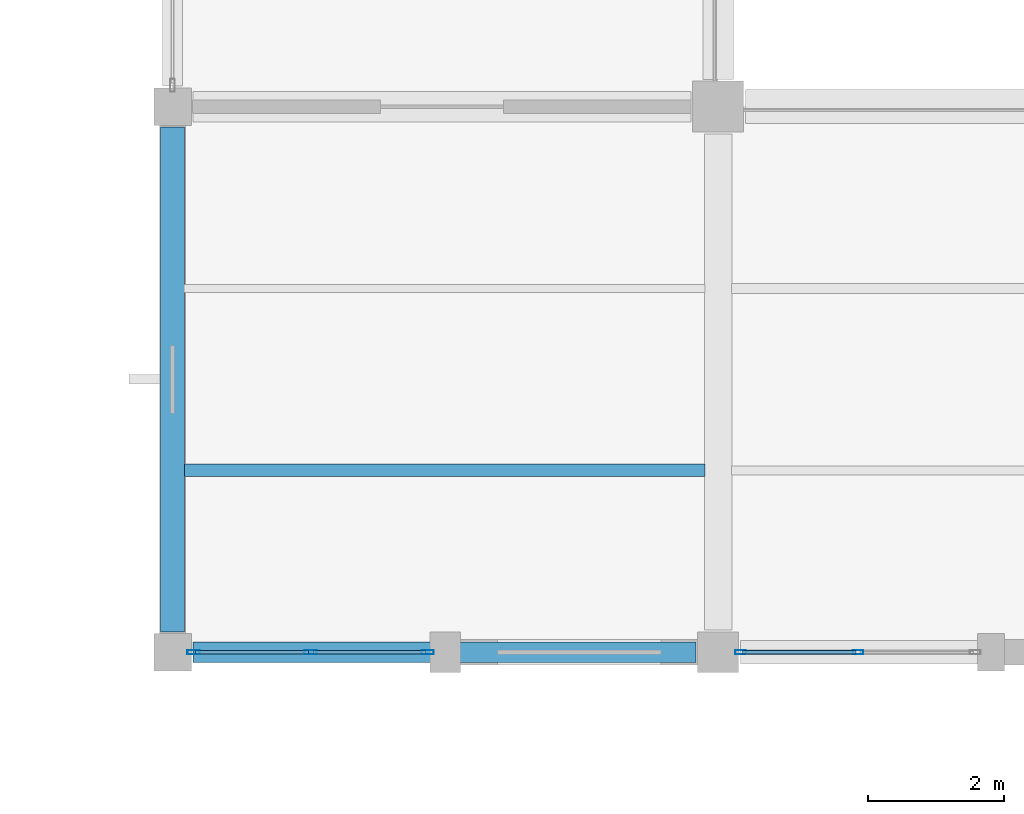
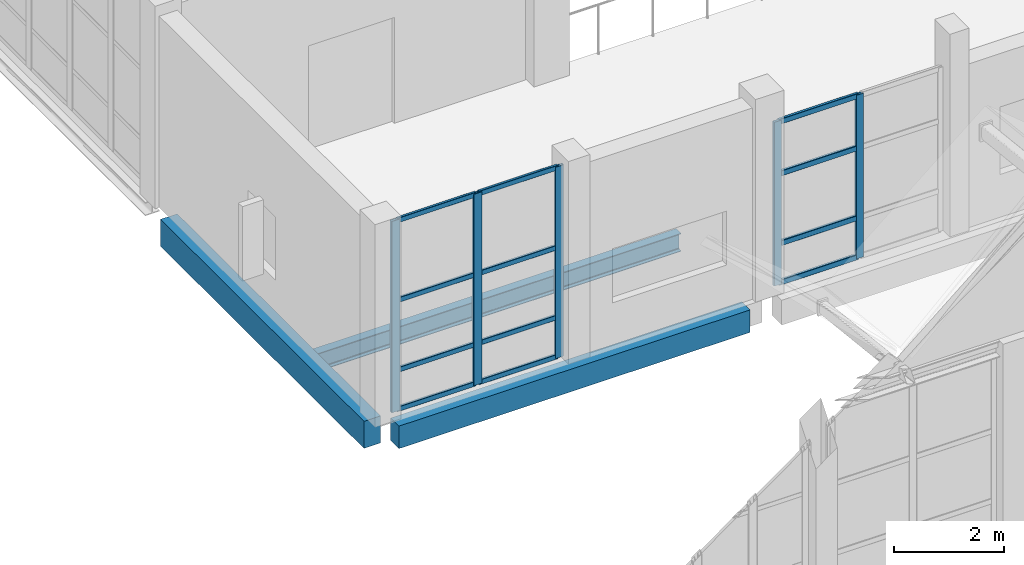
# One storey, part 92 of 183: 17 members, 3 beams, 2 elements without a shape of their own.
"""IFC4 building model written with IfcOpenShell, lengths in metres."""

from ifc_helpers import new_model, si_unit, direction, frame, origin, origin_2d, place, context, subcontext, project, spatial, rectangle, hollow_rectangle, i_section, extrude, material, material_profile, profile_set, type_object, element, aggregate, save


model = new_model("IFC4")

# Units and contexts
model_context = context("Model", 3, precision=1e-05, world=origin(), true_north=direction((0.0, 1.0)))
body_context = subcontext(model_context, "Body", "Model", "MODEL_VIEW")
ifc_project = project(units=[si_unit("LENGTHUNIT", "METRE"), si_unit("AREAUNIT", "SQUARE_METRE"), si_unit("VOLUMEUNIT", "CUBIC_METRE"), si_unit("PLANEANGLEUNIT", "RADIAN"), si_unit("MASSUNIT", "GRAM", prefix="KILO")], contexts=[model_context])

# Site, building, storey
site_placement = place(None, origin())
site = spatial("IfcSite", under=ifc_project, at=site_placement, CompositionType="ELEMENT")
building_placement = place(site_placement, origin())
building = spatial("IfcBuilding", under=site, at=building_placement, Name="Luwemba Playhouse", CompositionType="ELEMENT")
storey_placement = place(building_placement, frame((0.0, 0.0, 4.800048828125)))
storey = spatial("IfcBuildingStorey", under=building, at=storey_placement, Name="L01", CompositionType="ELEMENT", Elevation=4.800048828125)

# Beams
ifc_material_1 = material(Name="Steel S355", Category="steel")
ifc_material_profile_1 = material_profile(ifc_material_1, i_section(OverallWidth=0.179931640625, OverallDepth=0.39990234375, WebThickness=0.008544921875, FlangeThickness=0.013427734375, FilletRadius=0.02099609375, at=origin_2d()))
ifc_profile_set_1 = profile_set([ifc_material_profile_1], Name="Steel S355")
beam_type_1 = type_object("IfcBeamType", Name="BM-SJ08", PredefinedType="JOIST", material=ifc_profile_set_1)
beam_1_placement = place(storey_placement, frame((132.1708984375, 38.666748046875, -0.449951171875), z_axis=(1.0, 0.0, 0.0), x_axis=(0.0, 1.0, 0.0)))
element("IfcBeam", 1, at=beam_1_placement, inside=storey, type_object=beam_type_1, Name="L01 composite floor joist 0255", PredefinedType="JOIST", context=body_context, shape_type="SweptSolid", body=[
    extrude(i_section(OverallWidth=0.179931640625, OverallDepth=0.39990234375, WebThickness=0.008544921875, FlangeThickness=0.013427734375, FilletRadius=0.02099609375, at=origin_2d()), origin(), (0.0, 0.0, 1.0), 7.633056640625),
])
ifc_material_2 = material(Name="Concrete C40/50", Category="concrete")
ifc_material_profile_2 = material_profile(ifc_material_2, rectangle(XDim=0.300048828125, YDim=0.5, at=origin_2d()))
ifc_profile_set_2 = profile_set([ifc_material_profile_2], Name="Concrete C40/50")
beam_type_2 = type_object("IfcBeamType", Name="BM-SP1", PredefinedType="SPANDREL", material=ifc_profile_set_2)
beam_2_placement = place(storey_placement, frame((132.300048828125, 36.0, -0.5), z_axis=(1.0, 0.0, 0.0), x_axis=(0.0, 1.0, 0.0)))
element("IfcBeam", 2, at=beam_2_placement, inside=storey, type_object=beam_type_2, Name="L01 grid girder 0404", PredefinedType="SPANDREL", context=body_context, shape_type="SweptSolid", body=[
    extrude(rectangle(XDim=0.300048828125, YDim=0.5, at=origin_2d()), origin(), (0.0, 0.0, 1.0), 7.375),
])
ifc_material_profile_3 = material_profile(ifc_material_2, rectangle(XDim=0.35009765625, YDim=0.60009765625, at=origin_2d()))
ifc_profile_set_3 = profile_set([ifc_material_profile_3], Name="Concrete C40/50")
beam_type_3 = type_object("IfcBeamType", Name="BM-SP3", PredefinedType="SPANDREL", material=ifc_profile_set_3)
beam_3_placement = place(storey_placement, frame((132.0, 36.300048828125, -0.550048828125), z_axis=(0.0, 1.0, 0.0), x_axis=(-1.0, 0.0, 0.0)))
element("IfcBeam", 3, at=beam_3_placement, inside=storey, type_object=beam_type_3, Name="L01 transverse girder 0421", PredefinedType="SPANDREL", context=body_context, shape_type="SweptSolid", body=[
    extrude(rectangle(XDim=0.35009765625, YDim=0.60009765625, at=origin_2d()), origin(), (0.0, 0.0, 1.0), 7.39990234375),
])

# Curtain wall, members
ifc_material_3 = material(Name="Solar-control double glazing", Category="glass")
curtain_wall_type_1 = type_object("IfcCurtainWallType", Name="CW-CW77", PredefinedType="USERDEFINED", material=ifc_material_3)
curtain_wall_1_placement = place(storey_placement, origin())
curtain_wall_1 = element("IfcCurtainWall", 4, at=curtain_wall_1_placement, inside=storey, type_object=curtain_wall_type_1, Name="L01 V3 unitised curtain wall 110", ObjectType="UNITISED GLAZING", PredefinedType="USERDEFINED")
ifc_material_4 = material(Name="Aluminium 6063-T6", Category="aluminium")
ifc_material_profile_4 = material_profile(ifc_material_4, hollow_rectangle(XDim=0.06005859375, YDim=0.159912109375, WallThickness=0.00390625, InnerFilletRadius=0.006103515625, OuterFilletRadius=0.010009765625, at=origin_2d()))
ifc_profile_set_4 = profile_set([ifc_material_profile_4], Name="Aluminium 6063-T6")
member_type_1 = type_object("IfcMemberType", Name="CWM-M1", PredefinedType="MULLION", material=ifc_profile_set_4)
member_1_placement = place(storey_placement, frame((142.050048828125, 36.0, 0.0), z_axis=(0.0, 0.0, 1.0), x_axis=(0.0, -1.0, 0.0)))
member_1 = element("IfcMember", 5, at=member_1_placement, type_object=member_type_1, Name="CW77 mullion 2", PredefinedType="MULLION", context=body_context, shape_type="SweptSolid", body=[
    extrude(hollow_rectangle(XDim=0.06005859375, YDim=0.159912109375, WallThickness=0.00390625, InnerFilletRadius=0.006103515625, OuterFilletRadius=0.010009765625, at=origin_2d()), origin(), (0.0, 0.0, 1.0), 3.635009765625),
])
member_2_placement = place(storey_placement, frame((140.330078125, 36.0, 0.0), z_axis=(0.0, 0.0, 1.0), x_axis=(0.0, -1.0, 0.0)))
member_2 = element("IfcMember", 6, at=member_2_placement, type_object=member_type_1, Name="CW77 mullion 3", PredefinedType="MULLION", context=body_context, shape_type="SweptSolid", body=[
    extrude(hollow_rectangle(XDim=0.06005859375, YDim=0.159912109375, WallThickness=0.00390625, InnerFilletRadius=0.006103515625, OuterFilletRadius=0.010009765625, at=origin_2d()), origin(), (0.0, 0.0, 1.0), 3.635009765625),
])

curtain_wall_type_2 = type_object("IfcCurtainWallType", Name="CW-CW75", PredefinedType="USERDEFINED", material=ifc_material_3)
curtain_wall_2_placement = place(storey_placement, origin())
curtain_wall_2 = element("IfcCurtainWall", 7, at=curtain_wall_2_placement, inside=storey, type_object=curtain_wall_type_2, Name="L01 V3 unitised curtain wall 111", ObjectType="UNITISED GLAZING", PredefinedType="USERDEFINED")
ifc_material_profile_5 = material_profile(ifc_material_4, hollow_rectangle(XDim=0.06494140625, YDim=0.179931640625, WallThickness=0.00439453125, InnerFilletRadius=0.0068359375, OuterFilletRadius=0.01123046875, at=origin_2d()))
ifc_profile_set_5 = profile_set([ifc_material_profile_5], Name="Aluminium 6063-T6")
member_type_2 = type_object("IfcMemberType", Name="CWM-M2", PredefinedType="MULLION", material=ifc_profile_set_5)
member_3_placement = place(storey_placement, frame((135.742431640625, 36.0, 0.0), z_axis=(0.0, 0.0, 1.0), x_axis=(0.0, -1.0, 0.0)))
member_3 = element("IfcMember", 8, at=member_3_placement, type_object=member_type_2, Name="CW75 mullion 1", PredefinedType="MULLION", context=body_context, shape_type="SweptSolid", body=[
    extrude(hollow_rectangle(XDim=0.06494140625, YDim=0.179931640625, WallThickness=0.00439453125, InnerFilletRadius=0.0068359375, OuterFilletRadius=0.01123046875, at=origin_2d()), origin(), (0.0, 0.0, 1.0), 4.25),
])
member_4_placement = place(storey_placement, frame((134.02490234375, 36.0, 0.0), z_axis=(0.0, 0.0, 1.0), x_axis=(0.0, -1.0, 0.0)))
member_4 = element("IfcMember", 9, at=member_4_placement, type_object=member_type_2, Name="CW75 mullion 2", PredefinedType="MULLION", context=body_context, shape_type="SweptSolid", body=[
    extrude(hollow_rectangle(XDim=0.06494140625, YDim=0.179931640625, WallThickness=0.00439453125, InnerFilletRadius=0.0068359375, OuterFilletRadius=0.01123046875, at=origin_2d()), origin(), (0.0, 0.0, 1.0), 4.25),
])
member_5_placement = place(storey_placement, frame((132.3076171875, 36.0, 0.0), z_axis=(0.0, 0.0, 1.0), x_axis=(0.0, -1.0, 0.0)))
member_5 = element("IfcMember", 10, at=member_5_placement, type_object=member_type_2, Name="CW75 mullion 3", PredefinedType="MULLION", context=body_context, shape_type="SweptSolid", body=[
    extrude(hollow_rectangle(XDim=0.06494140625, YDim=0.179931640625, WallThickness=0.00439453125, InnerFilletRadius=0.0068359375, OuterFilletRadius=0.01123046875, at=origin_2d()), origin(), (0.0, 0.0, 1.0), 4.25),
])

# Member
ifc_material_profile_6 = material_profile(ifc_material_4, hollow_rectangle(XDim=0.06005859375, YDim=0.1201171875, WallThickness=0.00390625, InnerFilletRadius=0.006103515625, OuterFilletRadius=0.010009765625, at=origin_2d()))
ifc_profile_set_6 = profile_set([ifc_material_profile_6], Name="Aluminium 6063-T6")
member_type_3 = type_object("IfcMemberType", Name="CWT-T1", PredefinedType="USERDEFINED", material=ifc_profile_set_6)
member_6_placement = place(storey_placement, frame((142.02001953125, 36.0, 0.030029296875), z_axis=(-1.0, 0.0, 0.0), x_axis=(0.0, -1.0, 0.0)))
member_6 = element("IfcMember", 11, at=member_6_placement, type_object=member_type_3, Name="CW77 transom 2.1", ObjectType="TRANSOM", PredefinedType="USERDEFINED", context=body_context, shape_type="SweptSolid", body=[
    extrude(hollow_rectangle(XDim=0.06005859375, YDim=0.1201171875, WallThickness=0.00390625, InnerFilletRadius=0.006103515625, OuterFilletRadius=0.010009765625, at=origin_2d()), origin(), (0.0, 0.0, 1.0), 1.659912109375),
])

member_7_placement = place(storey_placement, frame((142.02001953125, 36.0, 0.89990234375), z_axis=(-1.0, 0.0, 0.0), x_axis=(0.0, -1.0, 0.0)))
member_7 = element("IfcMember", 12, at=member_7_placement, type_object=member_type_3, Name="CW77 transom 2.2", ObjectType="TRANSOM", PredefinedType="USERDEFINED", context=body_context, shape_type="SweptSolid", body=[
    extrude(hollow_rectangle(XDim=0.06005859375, YDim=0.1201171875, WallThickness=0.00390625, InnerFilletRadius=0.006103515625, OuterFilletRadius=0.010009765625, at=origin_2d()), origin(), (0.0, 0.0, 1.0), 1.659912109375),
])

member_8_placement = place(storey_placement, frame((142.02001953125, 36.0, 2.449951171875), z_axis=(-1.0, 0.0, 0.0), x_axis=(0.0, -1.0, 0.0)))
member_8 = element("IfcMember", 13, at=member_8_placement, type_object=member_type_3, Name="CW77 transom 2.3", ObjectType="TRANSOM", PredefinedType="USERDEFINED", context=body_context, shape_type="SweptSolid", body=[
    extrude(hollow_rectangle(XDim=0.06005859375, YDim=0.1201171875, WallThickness=0.00390625, InnerFilletRadius=0.006103515625, OuterFilletRadius=0.010009765625, at=origin_2d()), origin(), (0.0, 0.0, 1.0), 1.659912109375),
])

member_9_placement = place(storey_placement, frame((142.02001953125, 36.0, 3.60498046875), z_axis=(-1.0, 0.0, 0.0), x_axis=(0.0, -1.0, 0.0)))
member_9 = element("IfcMember", 14, at=member_9_placement, type_object=member_type_3, Name="CW77 transom 2.4", ObjectType="TRANSOM", PredefinedType="USERDEFINED", context=body_context, shape_type="SweptSolid", body=[
    extrude(hollow_rectangle(XDim=0.06005859375, YDim=0.1201171875, WallThickness=0.00390625, InnerFilletRadius=0.006103515625, OuterFilletRadius=0.010009765625, at=origin_2d()), origin(), (0.0, 0.0, 1.0), 1.659912109375),
])

aggregate(curtain_wall_1, [member_1, member_2, member_6, member_7, member_8, member_9])

ifc_material_profile_7 = material_profile(ifc_material_4, hollow_rectangle(XDim=0.054931640625, YDim=0.110107421875, WallThickness=0.00341796875, InnerFilletRadius=0.00537109375, OuterFilletRadius=0.0087890625, at=origin_2d()))
ifc_profile_set_7 = profile_set([ifc_material_profile_7], Name="Aluminium 6063-T6")
member_type_4 = type_object("IfcMemberType", Name="CWT-T2", PredefinedType="USERDEFINED", material=ifc_profile_set_7)
member_10_placement = place(storey_placement, frame((135.7099609375, 36.0, 0.02734375), z_axis=(-1.0, 0.0, 0.0), x_axis=(0.0, -1.0, 0.0)))
member_10 = element("IfcMember", 15, at=member_10_placement, type_object=member_type_4, Name="CW75 transom 1.1", ObjectType="TRANSOM", PredefinedType="USERDEFINED", context=body_context, shape_type="SweptSolid", body=[
    extrude(hollow_rectangle(XDim=0.054931640625, YDim=0.110107421875, WallThickness=0.00341796875, InnerFilletRadius=0.00537109375, OuterFilletRadius=0.0087890625, at=origin_2d()), origin(), (0.0, 0.0, 1.0), 1.65234375),
])

member_11_placement = place(storey_placement, frame((135.7099609375, 36.0, 0.89990234375), z_axis=(-1.0, 0.0, 0.0), x_axis=(0.0, -1.0, 0.0)))
member_11 = element("IfcMember", 16, at=member_11_placement, type_object=member_type_4, Name="CW75 transom 1.2", ObjectType="TRANSOM", PredefinedType="USERDEFINED", context=body_context, shape_type="SweptSolid", body=[
    extrude(hollow_rectangle(XDim=0.054931640625, YDim=0.110107421875, WallThickness=0.00341796875, InnerFilletRadius=0.00537109375, OuterFilletRadius=0.0087890625, at=origin_2d()), origin(), (0.0, 0.0, 1.0), 1.65234375),
])

member_12_placement = place(storey_placement, frame((135.7099609375, 36.0, 2.449951171875), z_axis=(-1.0, 0.0, 0.0), x_axis=(0.0, -1.0, 0.0)))
member_12 = element("IfcMember", 17, at=member_12_placement, type_object=member_type_4, Name="CW75 transom 1.3", ObjectType="TRANSOM", PredefinedType="USERDEFINED", context=body_context, shape_type="SweptSolid", body=[
    extrude(hollow_rectangle(XDim=0.054931640625, YDim=0.110107421875, WallThickness=0.00341796875, InnerFilletRadius=0.00537109375, OuterFilletRadius=0.0087890625, at=origin_2d()), origin(), (0.0, 0.0, 1.0), 1.65234375),
])

member_13_placement = place(storey_placement, frame((135.7099609375, 36.0, 4.222412109375), z_axis=(-1.0, 0.0, 0.0), x_axis=(0.0, -1.0, 0.0)))
member_13 = element("IfcMember", 18, at=member_13_placement, type_object=member_type_4, Name="CW75 transom 1.4", ObjectType="TRANSOM", PredefinedType="USERDEFINED", context=body_context, shape_type="SweptSolid", body=[
    extrude(hollow_rectangle(XDim=0.054931640625, YDim=0.110107421875, WallThickness=0.00341796875, InnerFilletRadius=0.00537109375, OuterFilletRadius=0.0087890625, at=origin_2d()), origin(), (0.0, 0.0, 1.0), 1.65234375),
])

member_14_placement = place(storey_placement, frame((133.992431640625, 36.0, 0.02734375), z_axis=(-1.0, 0.0, 0.0), x_axis=(0.0, -1.0, 0.0)))
member_14 = element("IfcMember", 19, at=member_14_placement, type_object=member_type_4, Name="CW75 transom 2.1", ObjectType="TRANSOM", PredefinedType="USERDEFINED", context=body_context, shape_type="SweptSolid", body=[
    extrude(hollow_rectangle(XDim=0.054931640625, YDim=0.110107421875, WallThickness=0.00341796875, InnerFilletRadius=0.00537109375, OuterFilletRadius=0.0087890625, at=origin_2d()), origin(), (0.0, 0.0, 1.0), 1.65234375),
])

member_15_placement = place(storey_placement, frame((133.992431640625, 36.0, 0.89990234375), z_axis=(-1.0, 0.0, 0.0), x_axis=(0.0, -1.0, 0.0)))
member_15 = element("IfcMember", 20, at=member_15_placement, type_object=member_type_4, Name="CW75 transom 2.2", ObjectType="TRANSOM", PredefinedType="USERDEFINED", context=body_context, shape_type="SweptSolid", body=[
    extrude(hollow_rectangle(XDim=0.054931640625, YDim=0.110107421875, WallThickness=0.00341796875, InnerFilletRadius=0.00537109375, OuterFilletRadius=0.0087890625, at=origin_2d()), origin(), (0.0, 0.0, 1.0), 1.65234375),
])

member_16_placement = place(storey_placement, frame((133.992431640625, 36.0, 2.449951171875), z_axis=(-1.0, 0.0, 0.0), x_axis=(0.0, -1.0, 0.0)))
member_16 = element("IfcMember", 21, at=member_16_placement, type_object=member_type_4, Name="CW75 transom 2.3", ObjectType="TRANSOM", PredefinedType="USERDEFINED", context=body_context, shape_type="SweptSolid", body=[
    extrude(hollow_rectangle(XDim=0.054931640625, YDim=0.110107421875, WallThickness=0.00341796875, InnerFilletRadius=0.00537109375, OuterFilletRadius=0.0087890625, at=origin_2d()), origin(), (0.0, 0.0, 1.0), 1.65234375),
])

member_17_placement = place(storey_placement, frame((133.992431640625, 36.0, 4.222412109375), z_axis=(-1.0, 0.0, 0.0), x_axis=(0.0, -1.0, 0.0)))
member_17 = element("IfcMember", 22, at=member_17_placement, type_object=member_type_4, Name="CW75 transom 2.4", ObjectType="TRANSOM", PredefinedType="USERDEFINED", context=body_context, shape_type="SweptSolid", body=[
    extrude(hollow_rectangle(XDim=0.054931640625, YDim=0.110107421875, WallThickness=0.00341796875, InnerFilletRadius=0.00537109375, OuterFilletRadius=0.0087890625, at=origin_2d()), origin(), (0.0, 0.0, 1.0), 1.65234375),
])

aggregate(curtain_wall_2, [member_3, member_4, member_5, member_10, member_11, member_12, member_13, member_14, member_15, member_16, member_17])

save(model, "model.ifc")
